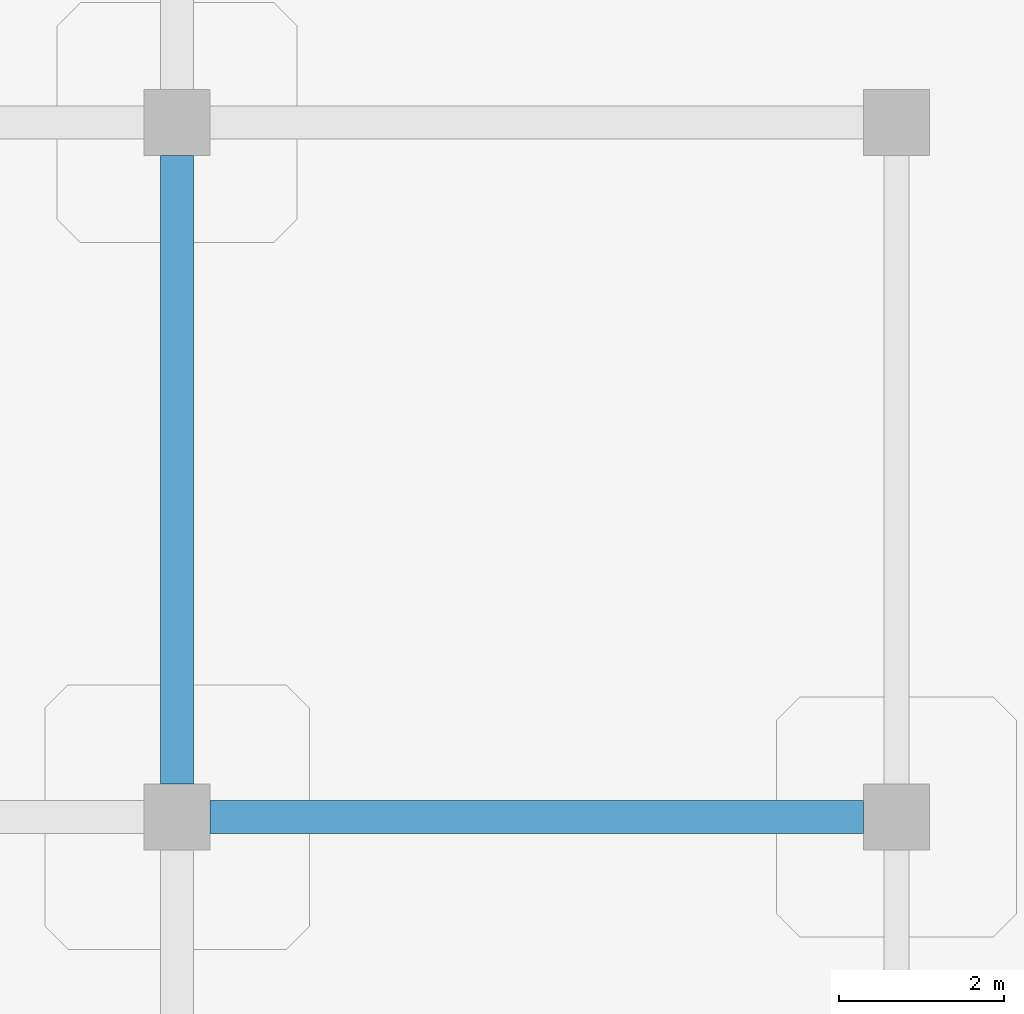
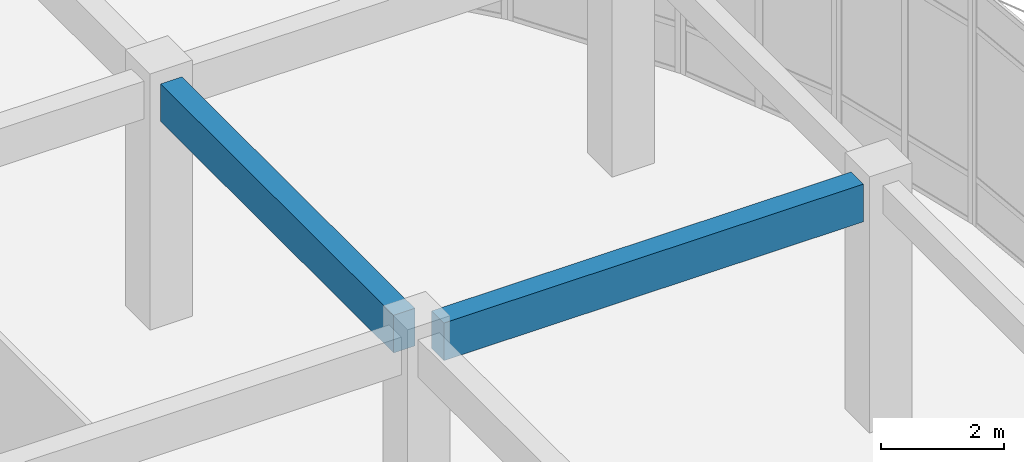
# One storey, part 85 of 124: 2 beams.
"""IFC4 building model written with IfcOpenShell, lengths in metres."""

from ifc_helpers import new_model, si_unit, derived_unit, direction, frame, origin, origin_2d, place, context, subcontext, project, spatial, rectangle, extrude, material, material_profile, profile_set, type_object, element, save


model = new_model("IFC4")

# Units and contexts
model_context = context("Model", 3, precision=1e-05, world=origin(), true_north=direction((0.0, 1.0)))
body_context = subcontext(model_context, "Body", "Model", "MODEL_VIEW")
ifc_project = project(units=[si_unit("LENGTHUNIT", "METRE"), si_unit("AREAUNIT", "SQUARE_METRE"), si_unit("VOLUMEUNIT", "CUBIC_METRE"), si_unit("PLANEANGLEUNIT", "RADIAN"), si_unit("MASSUNIT", "GRAM", prefix="KILO"), derived_unit("THERMALTRANSMITTANCEUNIT", [(si_unit("MASSUNIT", "GRAM", prefix="KILO"), 1), (si_unit("TIMEUNIT", "SECOND"), -3), (si_unit("THERMODYNAMICTEMPERATUREUNIT", "KELVIN"), -1)])], contexts=[model_context])

# Site, building, storey
site_placement = place(None, origin())
site = spatial("IfcSite", under=ifc_project, at=site_placement, CompositionType="ELEMENT")
building_placement = place(site_placement, origin())
building = spatial("IfcBuilding", under=site, at=building_placement, Name="Qinzheling Arcade Emporium", CompositionType="ELEMENT")
storey_placement = place(building_placement, frame((0.0, 0.0, 16.5)))
storey = spatial("IfcBuildingStorey", under=building, at=storey_placement, Name="L04", CompositionType="ELEMENT", Elevation=16.5)

# Beams
ifc_material = material(Name="Concrete C40", Category="concrete")
ifc_material_profile = material_profile(ifc_material, rectangle(XDim=0.39990234375, YDim=0.75, at=origin_2d()), Name="RC 400x750", Category="concrete")
ifc_profile_set = profile_set([ifc_material_profile], Name="Concrete C40")
beam_type = type_object("IfcBeamType", Name="RC Interior Tie Beam 400x750 C40", PredefinedType="BEAM", material=ifc_profile_set)
beam_1_placement = place(storey_placement, frame((130.89990234375, 90.60009765625, 4.4599609375), z_axis=(1.0, 0.0, 0.0), x_axis=(0.0, 1.0, 0.0)))
element("IfcBeam", 1, at=beam_1_placement, inside=storey, type_object=beam_type, Name="Beam BM-L04-X-L-16", PredefinedType="BEAM", context=body_context, shape_type="SweptSolid", body=[
    extrude(rectangle(XDim=0.39990234375, YDim=0.75, at=origin_2d()), origin(), (0.0, 0.0, 1.0), 7.900146484375),
])
beam_2_placement = place(storey_placement, frame((130.5, 91.0, 4.4599609375), z_axis=(0.0, 1.0, 0.0), x_axis=(-1.0, 0.0, 0.0)))
element("IfcBeam", 2, at=beam_2_placement, inside=storey, type_object=beam_type, Name="Beam BM-L04-Y-16-L", PredefinedType="BEAM", context=body_context, shape_type="SweptSolid", body=[
    extrude(rectangle(XDim=0.39990234375, YDim=0.75, at=origin_2d()), origin(), (0.0, 0.0, 1.0), 7.60009765625),
])

save(model, "model.ifc")
